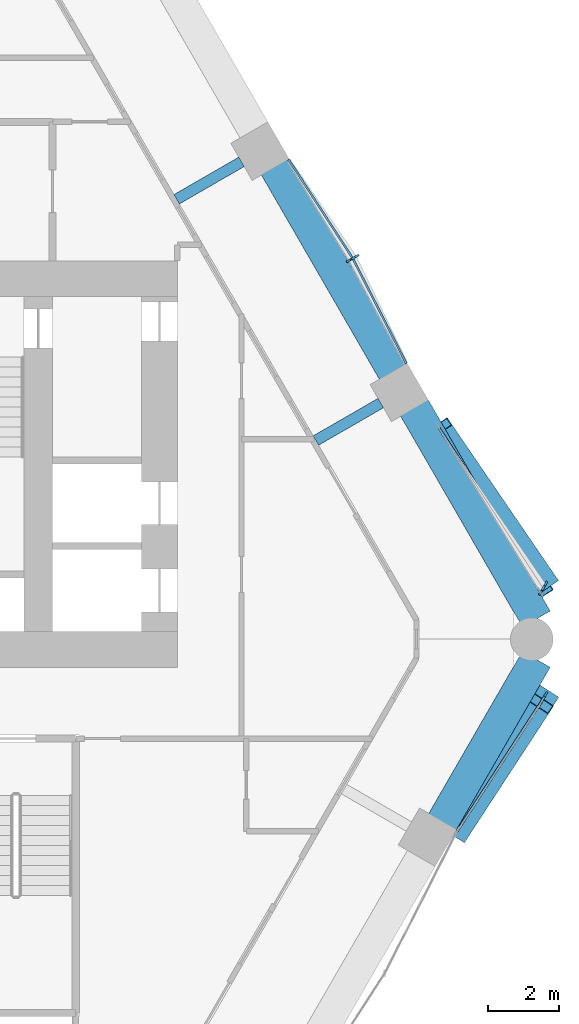
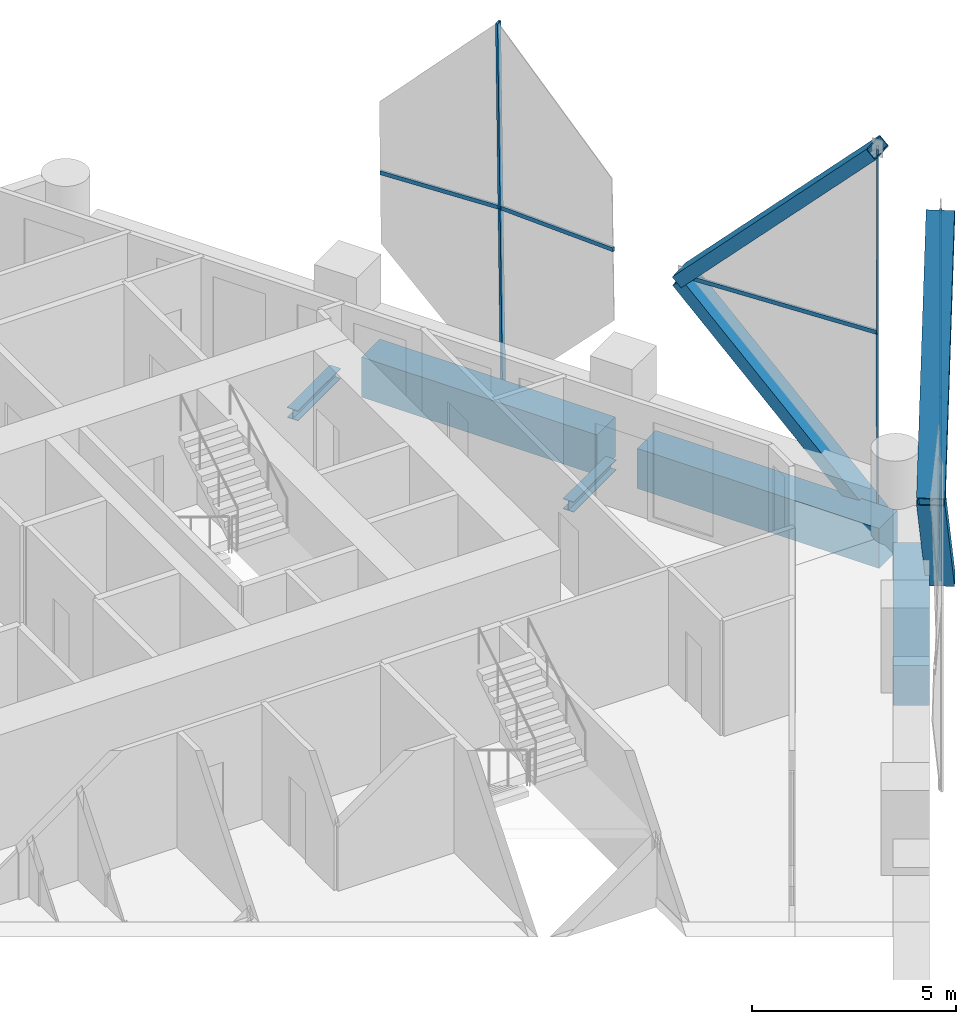
# One storey, part 7 of 17: 14 members, 5 beams, 4 elements without a shape of their own.
"""IFC4 building model written with IfcOpenShell, lengths in metres."""

from ifc_helpers import new_model, si_unit, direction, frame, origin, origin_2d, place, context, subcontext, project, spatial, rectangle, hollow_rectangle, i_section, extrude, material, material_profile, profile_set, type_object, element, aggregate, save


model = new_model("IFC4")

# Units and contexts
model_context = context("Model", 3, precision=1e-05, world=origin(), true_north=direction((0.0, 1.0)))
body_context = subcontext(model_context, "Body", "Model", "MODEL_VIEW")
ifc_project = project(units=[si_unit("LENGTHUNIT", "METRE"), si_unit("AREAUNIT", "SQUARE_METRE"), si_unit("VOLUMEUNIT", "CUBIC_METRE"), si_unit("PLANEANGLEUNIT", "RADIAN"), si_unit("MASSUNIT", "GRAM", prefix="KILO")], contexts=[model_context])

# Site, building, storey
site_placement = place(None, origin())
site = spatial("IfcSite", under=ifc_project, at=site_placement, CompositionType="ELEMENT")
building_placement = place(site_placement, origin())
building = spatial("IfcBuilding", under=site, at=building_placement, Name="Ostrander Bayou Hotel Tower", CompositionType="ELEMENT")
storey_placement = place(building_placement, frame((0.0, 0.0, 127.25)))
storey = spatial("IfcBuildingStorey", under=building, at=storey_placement, Name="L31", CompositionType="ELEMENT", Elevation=127.25)

# Curtain wall, members
ifc_material_1 = material(Name="Aluminium and clear glass", Category="aluminium")
curtain_wall_type = type_object("IfcCurtainWallType", Name="CW-LAT lattice glazing", PredefinedType="NOTDEFINED", material=ifc_material_1)
curtain_wall_1_placement = place(storey_placement, origin())
curtain_wall_1 = element("IfcCurtainWall", 1, at=curtain_wall_1_placement, inside=storey, type_object=curtain_wall_type, Name="CW-LAT L31 SE 1", PredefinedType="NOTDEFINED")
ifc_material_2 = material(Name="Aluminium", Category="aluminium")
ifc_material_profile_1 = material_profile(ifc_material_2, hollow_rectangle(XDim=0.06005859375, YDim=0.159912109375, WallThickness=0.00390625, at=origin_2d()))
ifc_profile_set_1 = profile_set([ifc_material_profile_1], Name="Aluminium")
member_type_1 = type_object("IfcMemberType", Name="CW-LA mullion 60 x 160 mm", PredefinedType="MULLION", material=ifc_profile_set_1)
member_1_placement = place(storey_placement, frame((22.33056640625, -2.46240234375, -0.60009765625), z_axis=(-0.012626192954, -0.021824656549, 0.999682081273), x_axis=(0.865583332221, -0.500764909893, 0.0)))
member_1 = element("IfcMember", 2, at=member_1_placement, type_object=member_type_1, Name="CW-LAT mullion 5", PredefinedType="MULLION", context=body_context, shape_type="SweptSolid", body=[
    extrude(hollow_rectangle(XDim=0.06005859375, YDim=0.159912109375, WallThickness=0.00390625, at=origin_2d()), origin(), (0.0, 0.0, 1.0), 5.626708984375),
])
member_2_placement = place(storey_placement, frame((22.259521484375, -2.585205078125, 5.02490234375), z_axis=(-0.012582810856, -0.021824668484, 0.999682627996), x_axis=(0.866328918095, -0.499473928922, 0.0)))
member_2 = element("IfcMember", 3, at=member_2_placement, type_object=member_type_1, Name="CW-LAT mullion 6", PredefinedType="MULLION", context=body_context, shape_type="SweptSolid", body=[
    extrude(hollow_rectangle(XDim=0.06005859375, YDim=0.159912109375, WallThickness=0.00390625, at=origin_2d()), origin(), (0.0, 0.0, 1.0), 5.626708984375),
])
aggregate(curtain_wall_1, [member_1, member_2])

curtain_wall_2_placement = place(storey_placement, origin())
curtain_wall_2 = element("IfcCurtainWall", 4, at=curtain_wall_2_placement, inside=storey, type_object=curtain_wall_type, Name="CW-LAT L31 NE 1", PredefinedType="NOTDEFINED")
member_3_placement = place(storey_placement, frame((22.33056640625, 0.640380859375, -0.60009765625), z_axis=(-0.012626204898, -0.021781288175, 0.999683026982), x_axis=(0.865150838603, -0.501511741103, 0.0)))
member_3 = element("IfcMember", 5, at=member_3_placement, type_object=member_type_1, Name="CW-LAT mullion 1", PredefinedType="MULLION", context=body_context, shape_type="SweptSolid", body=[
    extrude(hollow_rectangle(XDim=0.06005859375, YDim=0.159912109375, WallThickness=0.00390625, at=origin_2d()), origin(), (0.0, 0.0, 1.0), 5.626708984375),
])
member_4_placement = place(storey_placement, frame((22.259521484375, 0.517822265625, 5.02490234375), z_axis=(-0.012582810856, -0.021824668484, 0.999682627996), x_axis=(0.866328918095, -0.499473928922, 0.0)))
member_4 = element("IfcMember", 6, at=member_4_placement, type_object=member_type_1, Name="CW-LAT mullion 2", PredefinedType="MULLION", context=body_context, shape_type="SweptSolid", body=[
    extrude(hollow_rectangle(XDim=0.06005859375, YDim=0.159912109375, WallThickness=0.00390625, at=origin_2d()), origin(), (0.0, 0.0, 1.0), 5.626708984375),
])
member_5_placement = place(storey_placement, frame((17.025146484375, 9.82958984375, -0.60009765625), z_axis=(-0.018875715587, -0.010934897306, 0.999762039378), x_axis=(0.501271486133, -0.865290065348, 0.0)))
member_5 = element("IfcMember", 7, at=member_5_placement, type_object=member_type_1, Name="CW-LAT mullion 4", PredefinedType="MULLION", context=body_context, shape_type="SweptSolid", body=[
    extrude(hollow_rectangle(XDim=0.06005859375, YDim=0.159912109375, WallThickness=0.00390625, at=origin_2d()), origin(), (0.0, 0.0, 1.0), 5.626220703125),
])
member_6_placement = place(storey_placement, frame((16.9189453125, 9.76806640625, 5.02490234375), z_axis=(-0.018919101482, -0.010891501083, 0.999761693007), x_axis=(0.498919206287, -0.866648501757, 0.0)))
member_6 = element("IfcMember", 8, at=member_6_placement, type_object=member_type_1, Name="CW-LAT mullion 5", PredefinedType="MULLION", context=body_context, shape_type="SweptSolid", body=[
    extrude(hollow_rectangle(XDim=0.06005859375, YDim=0.159912109375, WallThickness=0.00390625, at=origin_2d()), origin(), (0.0, 0.0, 1.0), 5.626220703125),
])
aggregate(curtain_wall_2, [member_3, member_4, member_5, member_6])

# Curtain wall, member
curtain_wall_3_placement = place(storey_placement, origin())
curtain_wall_3 = element("IfcCurtainWall", 9, at=curtain_wall_3_placement, inside=storey, type_object=curtain_wall_type, Name="CW-LAT L31 SE 2", PredefinedType="NOTDEFINED")
ifc_material_3 = material(Name="Aluminium", Category="aluminium")
ifc_material_profile_2 = material_profile(ifc_material_3, hollow_rectangle(XDim=0.06005859375, YDim=0.1201171875, WallThickness=0.00390625, at=origin_2d()))
ifc_profile_set_2 = profile_set([ifc_material_profile_2], Name="Aluminium")
member_type_2 = type_object("IfcMemberType", Name="CW-LA transom 60 x 120 mm", PredefinedType="USERDEFINED", material=ifc_profile_set_2)
member_7_placement = place(storey_placement, frame((22.259521484375, -2.585205078125, 5.02490234375), z_axis=(-0.545325633077, -0.838224286161, 0.0), x_axis=(0.838224286161, -0.545325633077, 0.0)))
member_7 = element("IfcMember", 10, at=member_7_placement, type_object=member_type_2, Name="CW-LAT transom 7", ObjectType="TRANSOM", PredefinedType="USERDEFINED", context=body_context, shape_type="SweptSolid", body=[
    extrude(hollow_rectangle(XDim=0.06005859375, YDim=0.1201171875, WallThickness=0.00390625, at=origin_2d()), origin(), (0.0, 0.0, 1.0), 4.451904296875),
])
aggregate(curtain_wall_3, [member_7])

# Curtain wall, members
curtain_wall_4_placement = place(storey_placement, origin())
curtain_wall_4 = element("IfcCurtainWall", 11, at=curtain_wall_4_placement, inside=storey, type_object=curtain_wall_type, Name="CW-LAT L31 NE 2", PredefinedType="NOTDEFINED")
member_8_placement = place(storey_placement, frame((22.259521484375, 0.517822265625, 5.02490234375), z_axis=(-0.544354362281, 0.838855367906, 0.0), x_axis=(-0.838855367906, -0.544354362281, 0.0)))
member_8 = element("IfcMember", 12, at=member_8_placement, type_object=member_type_2, Name="CW-LAT transom 3", ObjectType="TRANSOM", PredefinedType="USERDEFINED", context=body_context, shape_type="SweptSolid", body=[
    extrude(hollow_rectangle(XDim=0.06005859375, YDim=0.1201171875, WallThickness=0.00390625, at=origin_2d()), origin(), (0.0, 0.0, 1.0), 5.347900390625),
])
member_9_placement = place(storey_placement, frame((16.9189453125, 9.76806640625, 5.02490234375), z_axis=(0.454278100017, -0.890859926052, 0.0), x_axis=(0.890859926052, 0.454278100017, 0.0)))
member_9 = element("IfcMember", 13, at=member_9_placement, type_object=member_type_2, Name="CW-LAT transom 6", ObjectType="TRANSOM", PredefinedType="USERDEFINED", context=body_context, shape_type="SweptSolid", body=[
    extrude(hollow_rectangle(XDim=0.06005859375, YDim=0.1201171875, WallThickness=0.00390625, at=origin_2d()), origin(), (0.0, 0.0, 1.0), 3.31103515625),
])
member_10_placement = place(storey_placement, frame((16.9189453125, 9.76806640625, 5.02490234375), z_axis=(-0.544329947898, 0.838871210509, 0.0), x_axis=(-0.838871210509, -0.544329947898, 0.0)))
member_10 = element("IfcMember", 14, at=member_10_placement, type_object=member_type_2, Name="CW-LAT transom 7", ObjectType="TRANSOM", PredefinedType="USERDEFINED", context=body_context, shape_type="SweptSolid", body=[
    extrude(hollow_rectangle(XDim=0.06005859375, YDim=0.1201171875, WallThickness=0.00390625, at=origin_2d()), origin(), (0.0, 0.0, 1.0), 3.311279296875),
])
aggregate(curtain_wall_4, [member_8, member_9, member_10])

# Beams
ifc_material_4 = material(Name="Steel ASTM A992", Category="steel")
ifc_material_profile_3 = material_profile(ifc_material_4, i_section(OverallWidth=0.3046875, OverallDepth=0.307861328125, WebThickness=0.010009765625, FlangeThickness=0.015380859375, at=origin_2d()))
ifc_profile_set_3 = profile_set([ifc_material_profile_3], Name="Steel ASTM A992")
beam_type_1 = type_object("IfcBeamType", Name="LB1 loggia bracket W12x65", PredefinedType="BEAM", material=ifc_profile_set_3)
for number, where, z_axis, x_axis, name in (
    (15, (17.70556640625, 5.711181640625, -0.453857421875), (-0.866009402589, -0.500027713859, 0.0), (0.500027713859, -0.866009402589, 0.0), "LB1 L31 NE1"),
    (16, (13.798828125, 12.477783203125, -0.453857421875), (-0.866038466041, -0.499977374825, 0.0), (0.499977374825, -0.866038466041, 0.0), "LB1 L31 NE2"),
):
    element("IfcBeam", number, at=place(storey_placement, frame(where, z_axis=z_axis, x_axis=x_axis)), inside=storey, type_object=beam_type_1, Name=name, PredefinedType="BEAM", context=body_context, shape_type="SweptSolid", body=[
        extrude(i_section(OverallWidth=0.3046875, OverallDepth=0.307861328125, WebThickness=0.010009765625, FlangeThickness=0.015380859375, at=origin_2d()), origin(), (0.0, 0.0, 1.0), 2.10009765625),
    ])

# Members
ifc_material_5 = material(Name="Steel ASTM A572 Gr 50", Category="steel")
ifc_material_profile_4 = material_profile(ifc_material_5, hollow_rectangle(XDim=0.699951171875, YDim=0.35009765625, WallThickness=0.02490234375, at=origin_2d()))
ifc_profile_set_4 = profile_set([ifc_material_profile_4], Name="Steel ASTM A572 Gr 50")
member_type_3 = type_object("IfcMemberType", Name="LT1 lattice member box 700 x 350 x 25 mm", PredefinedType="BRACE", material=ifc_profile_set_4)
member_11_placement = place(storey_placement, frame((19.831787109375, -6.31689453125, 5.02490234375), z_axis=(0.344073410956, 0.530750465282, -0.774543369655), x_axis=(-0.839103569783, 0.543971689684, 0.0)))
element("IfcMember", 17, at=member_11_placement, inside=storey, type_object=member_type_3, Name="LT1 L31 SE 1", PredefinedType="BRACE", context=body_context, shape_type="SweptSolid", body=[
    extrude(hollow_rectangle(XDim=0.699951171875, YDim=0.35009765625, WallThickness=0.02490234375, at=origin_2d()), origin(), (0.0, 0.0, 1.0), 7.262451171875),
])
member_12_placement = place(storey_placement, frame((19.831787109375, -6.31689453125, 5.02490234375), z_axis=(0.332590432574, 0.509255414783, 0.793752182154), x_axis=(-0.837258862077, 0.546806728081, 0.0)))
element("IfcMember", 18, at=member_12_placement, inside=storey, type_object=member_type_3, Name="LT1 L31 SE 2", PredefinedType="BRACE", context=body_context, shape_type="SweptSolid", body=[
    extrude(hollow_rectangle(XDim=0.699951171875, YDim=0.35009765625, WallThickness=0.02490234375, at=origin_2d()), origin(), (0.0, 0.0, 1.0), 7.086669921875),
])
member_13_placement = place(storey_placement, frame((19.348388671875, 5.00390625, 5.02490234375), z_axis=(0.38637037562, -0.565337513178, -0.72877392176), x_axis=(0.825606266482, 0.56424665949, 0.0)))
element("IfcMember", 19, at=member_13_placement, inside=storey, type_object=member_type_3, Name="LT1 L31 NE 1", PredefinedType="BRACE", context=body_context, shape_type="SweptSolid", body=[
    extrude(hollow_rectangle(XDim=0.699951171875, YDim=0.35009765625, WallThickness=0.02490234375, at=origin_2d()), origin(), (0.0, 0.0, 1.0), 7.718505859375),
])
member_14_placement = place(storey_placement, frame((19.348388671875, 5.00390625, 5.02490234375), z_axis=(0.36381654259, -0.590349724172, 0.720503106522), x_axis=(0.851320598151, 0.524645822592, 0.0)))
element("IfcMember", 20, at=member_14_placement, inside=storey, type_object=member_type_3, Name="LT1 L31 NE 2", PredefinedType="BRACE", context=body_context, shape_type="SweptSolid", body=[
    extrude(hollow_rectangle(XDim=0.699951171875, YDim=0.35009765625, WallThickness=0.02490234375, at=origin_2d()), origin(), (0.0, 0.0, 1.0), 7.80712890625),
])

# Beams
ifc_material_6 = material(Name="Concrete f'c 70 MPa", Category="concrete")
ifc_material_profile_5 = material_profile(ifc_material_6, rectangle(XDim=0.89990234375, YDim=1.199951171875, at=origin_2d()))
ifc_profile_set_5 = profile_set([ifc_material_profile_5], Name="Concrete f'c 70 MPa")
beam_type_2 = type_object("IfcBeamType", Name="SP2 spandrel beam 900 x 1200 mm f'c 70 MPa", PredefinedType="SPANDREL", material=ifc_profile_set_5)
beam_1_placement = place(storey_placement, frame((19.428955078125, -6.048095703125, -0.60009765625), z_axis=(0.499982573574, 0.866035464703, 0.0), x_axis=(-0.866035464703, 0.499982573574, 0.0)))
element("IfcBeam", 21, at=beam_1_placement, inside=storey, type_object=beam_type_2, Name="SP2 L31 SE-3", PredefinedType="SPANDREL", context=body_context, shape_type="SweptSolid", body=[
    extrude(rectangle(XDim=0.89990234375, YDim=1.199951171875, at=origin_2d()), origin(), (0.0, 0.0, 1.0), 5.281005859375),
])
beam_2_placement = place(storey_placement, frame((22.0693359375, -0.347412109375, -0.60009765625), z_axis=(-0.500001814021, 0.866024356456, 0.0), x_axis=(-0.866024356456, -0.500001814021, 0.0)))
element("IfcBeam", 22, at=beam_2_placement, inside=storey, type_object=beam_type_2, Name="SP2 L31 NE-1", PredefinedType="SPANDREL", context=body_context, shape_type="SweptSolid", body=[
    extrude(rectangle(XDim=0.89990234375, YDim=1.199951171875, at=origin_2d()), origin(), (0.0, 0.0, 1.0), 6.85888671875),
])
beam_3_placement = place(storey_placement, frame((18.070068359375, 6.579833984375, -0.60009765625), z_axis=(-0.499999023957, 0.866025967302, 0.0), x_axis=(-0.866025967302, -0.499999023957, 0.0)))
element("IfcBeam", 23, at=beam_3_placement, inside=storey, type_object=beam_type_2, Name="SP2 L31 NE-2", PredefinedType="SPANDREL", context=body_context, shape_type="SweptSolid", body=[
    extrude(rectangle(XDim=0.89990234375, YDim=1.199951171875, at=origin_2d()), origin(), (0.0, 0.0, 1.0), 6.67333984375),
])

save(model, "model.ifc")
